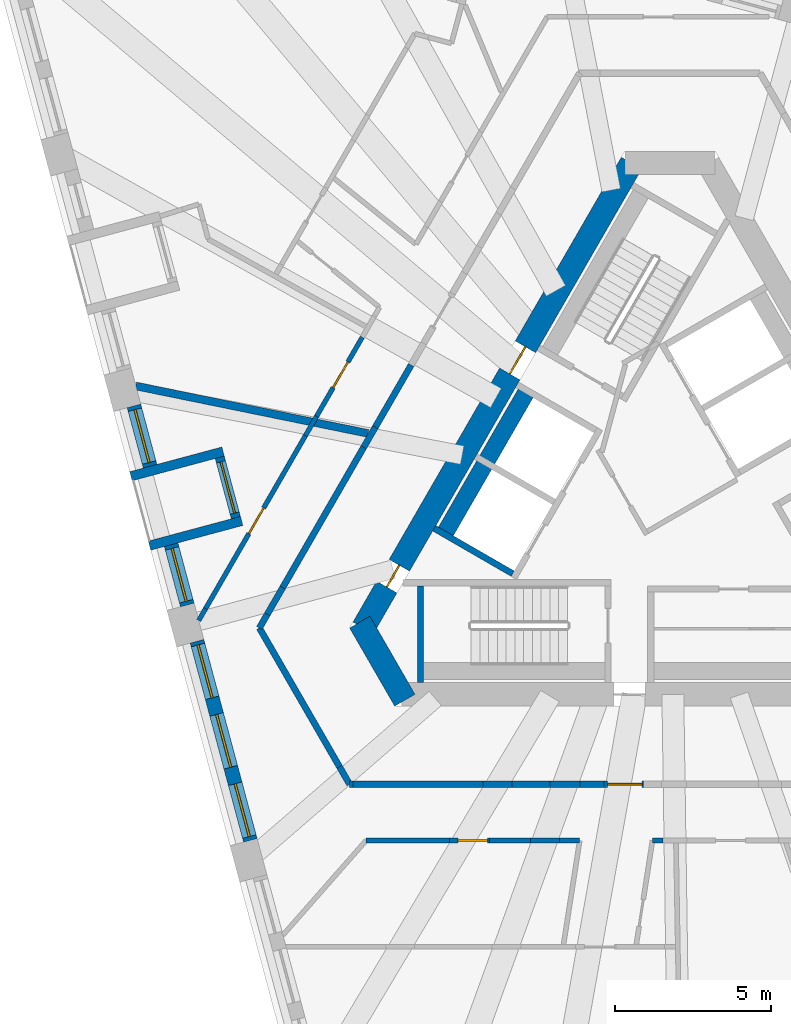
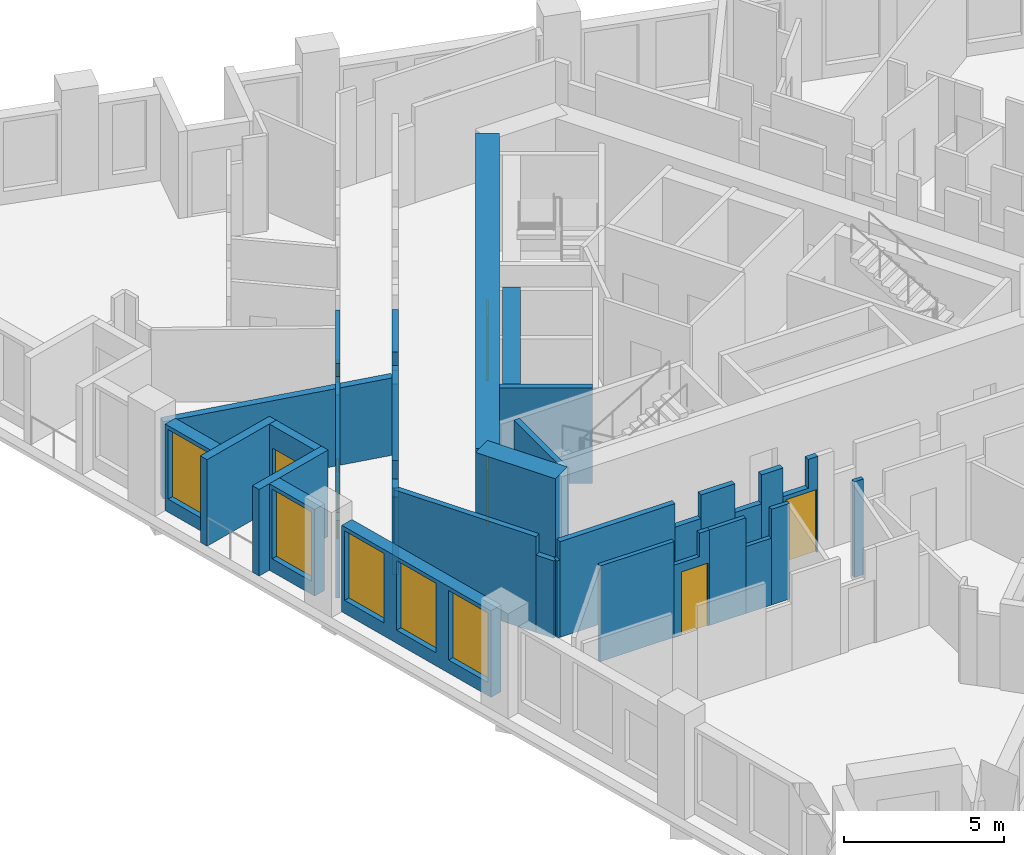
# One storey, part 3 of 13: 36 walls, 7 doors, 5 windows, 12 openings.
"""IFC4 building model written with IfcOpenShell, lengths in metres."""

from ifc_helpers import new_model, si_unit, direction, frame, frame_2d, origin, place, context, subcontext, project, spatial, polyline, rectangle, outline, extrude, material, layer, layer_set, type_object, element, fill, save


model = new_model("IFC4")

# Units and contexts
model_context = context("Model", 3, precision=1e-05, world=origin(), true_north=direction((0.0, 1.0)))
body_context = subcontext(model_context, "Body", "Model", "MODEL_VIEW")
ifc_project = project(units=[si_unit("LENGTHUNIT", "METRE"), si_unit("AREAUNIT", "SQUARE_METRE"), si_unit("VOLUMEUNIT", "CUBIC_METRE"), si_unit("PLANEANGLEUNIT", "RADIAN"), si_unit("MASSUNIT", "GRAM", prefix="KILO")], contexts=[model_context])

# Site, building, storey
site_placement = place(None, origin())
site = spatial("IfcSite", under=ifc_project, at=site_placement, CompositionType="ELEMENT")
building_placement = place(site_placement, origin())
building = spatial("IfcBuilding", under=site, at=building_placement, Name="Tramontana Tower", CompositionType="ELEMENT")
storey_placement = place(building_placement, frame((0.0, 0.0, 224.0)))
storey = spatial("IfcBuildingStorey", under=building, at=storey_placement, Name="L52", CompositionType="ELEMENT", Elevation=224.0)

# Wall, openings, doors
ifc_material_1 = material(Name="Concrete 70 MPa", Category="concrete")
ifc_layer_1 = layer(ifc_material_1, 0.75)
ifc_layer_set_1 = layer_set([ifc_layer_1], Name="Core wall 750 70 MPa")
wall_type_1 = type_object("IfcWallType", Name="Core wall 750 70 MPa", PredefinedType="SHEAR", material=ifc_layer_set_1)
wall_1_placement = place(storey_placement, frame((-1.226806640625, 10.625, 0.0), z_axis=(0.0, 0.0, 1.0), x_axis=(-0.500002161919, -0.866024155596, 0.0)))
wall_1 = element("IfcWall", 1, at=wall_1_placement, inside=storey, type_object=wall_type_1, Name="Core wall C1 L52", PredefinedType="SHEAR", context=body_context, shape_type="SweptSolid", body=[
    extrude(rectangle(XDim=17.17626953125, YDim=0.75, at=frame_2d((8.588134765625, 0.0))), origin(), (0.0, 0.0, 1.0), 4.0),
])
opening_1_placement = place(wall_1_placement, frame((6.79296875, 0.0, 0.0)))
opening_1 = element("IfcOpeningElement", 2, at=opening_1_placement, cuts=wall_1, Name="Opening RG1", PredefinedType="OPENING", context=body_context, shape_type="SweptSolid", body=[
    extrude(rectangle(XDim=1.0, YDim=2.39990234375, at=frame_2d((0.5, 1.199951171875))), frame((0.0, 0.385009765625, 0.0), z_axis=(0.0, -1.0, 0.0), x_axis=(1.0, 0.0, 0.0)), (0.0, 0.0, 1.0), 0.77001953125),
])
opening_2_placement = place(wall_1_placement, frame((14.863525390625, 0.0, 0.0)))
opening_2 = element("IfcOpeningElement", 3, at=opening_2_placement, cuts=wall_1, Name="Opening PD1", PredefinedType="OPENING", context=body_context, shape_type="SweptSolid", body=[
    extrude(rectangle(XDim=0.800048828125, YDim=2.10009765625, at=frame_2d((0.39990234375, 1.050048828125))), frame((0.0, 0.385009765625, 0.0), z_axis=(0.0, -1.0, 0.0), x_axis=(1.0, 0.0, 0.0)), (0.0, 0.0, 1.0), 0.77001953125),
])
ifc_material_2 = material(Name="Painted steel", Category="steel")
door_type_1 = type_object("IfcDoorType", Name="CUPBOARD DOOR 800", OperationType="SINGLE_SWING_LEFT", PredefinedType="DOOR", material=ifc_material_2)
door_1_placement = place(opening_2_placement, origin())
door_1 = element("IfcDoor", 4, at=door_1_placement, inside=storey, type_object=door_type_1, Name="Door PD1", OperationType="SINGLE_SWING_LEFT", OverallHeight=2.10009765625, OverallWidth=0.800048828125, PredefinedType="DOOR", context=body_context, shape_type="SweptSolid", body=[
    extrude(rectangle(XDim=0.800048828125, YDim=2.10009765625, at=frame_2d((0.39990234375, 1.050048828125))), frame((0.0, 0.02490234375, 0.0), z_axis=(0.0, -1.0, 0.0), x_axis=(1.0, 0.0, 0.0)), (0.0, 0.0, 1.0), 0.050048828125),
])
fill(opening_2, door_1)
ifc_material_3 = material(Name="Painted steel", Category="steel")
door_type_2 = type_object("IfcDoorType", Name="RING DOOR 1000", OperationType="SINGLE_SWING_LEFT", PredefinedType="DOOR", material=ifc_material_3)
door_2_placement = place(opening_1_placement, origin())
door_2 = element("IfcDoor", 5, at=door_2_placement, inside=storey, type_object=door_type_2, Name="Door RG1", OperationType="SINGLE_SWING_RIGHT", OverallHeight=2.39990234375, OverallWidth=1.0, PredefinedType="DOOR", context=body_context, shape_type="SweptSolid", body=[
    extrude(rectangle(XDim=1.0, YDim=2.39990234375, at=frame_2d((0.5, 1.199951171875))), frame((0.0, 0.02490234375, 0.0), z_axis=(0.0, -1.0, 0.0), x_axis=(1.0, 0.0, 0.0)), (0.0, 0.0, 1.0), 0.050048828125),
])
fill(opening_1, door_2)

# Wall
wall_2_placement = place(storey_placement, frame((-9.923095703125, -4.0625, 0.0), z_axis=(0.0, 0.0, 1.0), x_axis=(0.499995765644, -0.866027848477, 0.0)))
element("IfcWall", 6, at=wall_2_placement, inside=storey, type_object=wall_type_1, Name="Core wall C2 L52", PredefinedType="SHEAR", context=body_context, shape_type="SweptSolid", body=[
    extrude(rectangle(XDim=2.88671875, YDim=0.75, at=frame_2d((1.443359375, 0.0))), origin(), (0.0, 0.0, 1.0), 4.0),
])

# Wall, opening, door
ifc_material_4 = material(Name="Blockwork", Category="masonry")
ifc_layer_2 = layer(ifc_material_4, 0.199951171875)
ifc_layer_set_2 = layer_set([ifc_layer_2], Name="ENTRY WALL 200")
wall_type_2 = type_object("IfcWallType", Name="ENTRY WALL 200", PredefinedType="SOLIDWALL", material=ifc_layer_set_2)
wall_3_placement = place(storey_placement, frame((-2.102783203125, -9.25, 0.0), z_axis=(0.0, 0.0, 1.0), x_axis=(1.0, 0.0, 0.0)))
wall_3 = element("IfcWall", 7, at=wall_3_placement, inside=storey, type_object=wall_type_2, Name="Wall v52-ew2-7", PredefinedType="SOLIDWALL", context=body_context, shape_type="SweptSolid", body=[
    extrude(outline(polyline([(0.0, 0.0), (1.261474609375, 0.0), (1.261474609375, 3.64990234375), (0.9140625, 3.64990234375), (0.9140625, 2.550048828125), (0.0, 2.550048828125), (0.0, 0.0)])), frame((0.0, 0.10009765625, 0.0), z_axis=(0.0, -1.0, 0.0), x_axis=(1.0, 0.0, 0.0)), (0.0, 0.0, 1.0), 0.199951171875),
])
opening_3_placement = place(wall_3_placement, frame((0.111572265625, 0.0, 0.0)))
opening_3 = element("IfcOpeningElement", 8, at=opening_3_placement, cuts=wall_3, Name="Opening B5C-18", PredefinedType="OPENING", context=body_context, shape_type="SweptSolid", body=[
    extrude(rectangle(XDim=1.10009765625, YDim=2.39990234375, at=frame_2d((0.550048828125, 1.199951171875))), frame((0.0, 0.10986328125, 0.0), z_axis=(0.0, -1.0, 0.0), x_axis=(1.0, 0.0, 0.0)), (0.0, 0.0, 1.0), 0.219970703125),
])
ifc_material_5 = material(Name="Painted timber", Category="wood")
door_type_3 = type_object("IfcDoorType", Name="DOOR ENTRY 1100", OperationType="SINGLE_SWING_LEFT", PredefinedType="DOOR", material=ifc_material_5)
door_3_placement = place(opening_3_placement, origin())
door_3 = element("IfcDoor", 9, at=door_3_placement, inside=storey, type_object=door_type_3, Name="Door B5C-18", OperationType="SINGLE_SWING_RIGHT", OverallHeight=2.39990234375, OverallWidth=1.10009765625, PredefinedType="DOOR", context=body_context, shape_type="SweptSolid", body=[
    extrude(rectangle(XDim=1.10009765625, YDim=2.39990234375, at=frame_2d((0.550048828125, 1.199951171875))), frame((0.0, 0.02490234375, 0.0), z_axis=(0.0, -1.0, 0.0), x_axis=(1.0, 0.0, 0.0)), (0.0, 0.0, 1.0), 0.050048828125),
])
fill(opening_3, door_3)

# Walls
wall_4_placement = place(storey_placement, frame((-2.102783203125, -9.25, 0.0), z_axis=(0.0, 0.0, 1.0), x_axis=(-1.0, 0.0, 0.0)))
element("IfcWall", 10, at=wall_4_placement, inside=storey, type_object=wall_type_2, Name="Wall v52-ew2-8", PredefinedType="SOLIDWALL", context=body_context, shape_type="SweptSolid", body=[
    extrude(rectangle(XDim=0.76904296875, YDim=0.199951171875, at=frame_2d((0.384521484375, 0.0))), origin(), (0.0, 0.0, 1.0), 3.64990234375),
])
wall_5_placement = place(storey_placement, frame((-2.871826171875, -9.25, 0.0), z_axis=(0.0, 0.0, 1.0), x_axis=(-1.0, 0.0, 0.0)))
element("IfcWall", 11, at=wall_5_placement, inside=storey, type_object=wall_type_2, Name="Wall v52-ew2-9", PredefinedType="SOLIDWALL", context=body_context, shape_type="SweptSolid", body=[
    extrude(rectangle(XDim=0.957275390625, YDim=0.199951171875, at=frame_2d((0.478515625, 0.0))), origin(), (0.0, 0.0, 1.0), 2.550048828125),
])
wall_6_placement = place(storey_placement, frame((-3.8291015625, -9.25, 0.0), z_axis=(0.0, 0.0, 1.0), x_axis=(-1.0, 0.0, 0.0)))
element("IfcWall", 12, at=wall_6_placement, inside=storey, type_object=wall_type_2, Name="Wall v52-ew2-10", PredefinedType="SOLIDWALL", context=body_context, shape_type="SweptSolid", body=[
    extrude(rectangle(XDim=1.22705078125, YDim=0.199951171875, at=frame_2d((0.613525390625, 0.0))), origin(), (0.0, 0.0, 1.0), 3.64990234375),
])
wall_7_placement = place(storey_placement, frame((-5.05615234375, -9.25, 0.0), z_axis=(0.0, 0.0, 1.0), x_axis=(-1.0, 0.0, 0.0)))
element("IfcWall", 13, at=wall_7_placement, inside=storey, type_object=wall_type_2, Name="Wall v52-ew2-11", PredefinedType="SOLIDWALL", context=body_context, shape_type="SweptSolid", body=[
    extrude(rectangle(XDim=0.931640625, YDim=0.199951171875, at=frame_2d((0.4658203125, 0.0))), origin(), (0.0, 0.0, 1.0), 2.75),
])
wall_8_placement = place(storey_placement, frame((-5.98779296875, -9.25, 0.0), z_axis=(0.0, 0.0, 1.0), x_axis=(-1.0, 0.0, 0.0)))
element("IfcWall", 14, at=wall_8_placement, inside=storey, type_object=wall_type_2, Name="Wall v52-ew2-12", PredefinedType="SOLIDWALL", context=body_context, shape_type="SweptSolid", body=[
    extrude(rectangle(XDim=4.1552734375, YDim=0.199951171875, at=frame_2d((2.07763671875, 0.0))), origin(), (0.0, 0.0, 1.0), 3.64990234375),
])
wall_9_placement = place(storey_placement, frame((-10.14306640625, -9.25, 0.0), z_axis=(0.0, 0.0, 1.0), x_axis=(-1.0, 0.0, 0.0)))
element("IfcWall", 15, at=wall_9_placement, inside=storey, type_object=wall_type_2, Name="Wall v52-ew2-13", PredefinedType="SOLIDWALL", context=body_context, shape_type="SweptSolid", body=[
    extrude(rectangle(XDim=0.10498046875, YDim=0.199951171875, at=frame_2d((0.052490234375, 0.0))), origin(), (0.0, 0.0, 1.0), 2.949951171875),
])
wall_10_placement = place(storey_placement, frame((-10.248046875, -9.25, 0.0), z_axis=(0.0, 0.0, 1.0), x_axis=(-0.499733411443, 0.86617926406, 0.0)))
element("IfcWall", 16, at=wall_10_placement, inside=storey, type_object=wall_type_2, Name="Wall v52-ew3-0", PredefinedType="SOLIDWALL", context=body_context, shape_type="SweptSolid", body=[
    extrude(rectangle(XDim=0.642822265625, YDim=0.199951171875, at=frame_2d((0.3212890625, 0.0))), origin(), (0.0, 0.0, 1.0), 2.949951171875),
])
wall_11_placement = place(storey_placement, frame((-10.5693359375, -8.693115234375, 0.0), z_axis=(0.0, 0.0, 1.0), x_axis=(-0.500028638513, 0.8660088687, 0.0)))
element("IfcWall", 17, at=wall_11_placement, inside=storey, type_object=wall_type_2, Name="Wall v52-ew3-1", PredefinedType="SOLIDWALL", context=body_context, shape_type="SweptSolid", body=[
    extrude(rectangle(XDim=5.130615234375, YDim=0.199951171875, at=frame_2d((2.5654296875, 0.0))), origin(), (0.0, 0.0, 1.0), 3.64990234375),
])
wall_12_placement = place(storey_placement, frame((-13.134765625, -4.25, 0.0), z_axis=(0.0, 0.0, 1.0), x_axis=(0.500002592159, 0.866023907196, 0.0)))
element("IfcWall", 18, at=wall_12_placement, inside=storey, type_object=wall_type_2, Name="Wall v52-ew4-0", PredefinedType="SOLIDWALL", context=body_context, shape_type="SweptSolid", body=[
    extrude(rectangle(XDim=0.5029296875, YDim=0.199951171875, at=frame_2d((0.25146484375, 0.0))), origin(), (0.0, 0.0, 1.0), 3.64990234375),
])
wall_13_placement = place(storey_placement, frame((-12.88330078125, -3.814453125, 0.0), z_axis=(0.0, 0.0, 1.0), x_axis=(0.500063959222, 0.865988473761, 0.0)))
element("IfcWall", 19, at=wall_13_placement, inside=storey, type_object=wall_type_2, Name="Wall v52-ew4-1", PredefinedType="SOLIDWALL", context=body_context, shape_type="SweptSolid", body=[
    extrude(rectangle(XDim=0.989990234375, YDim=0.199951171875, at=frame_2d((0.4951171875, 0.0))), origin(), (0.0, 0.0, 1.0), 2.949951171875),
])
wall_14_placement = place(storey_placement, frame((-12.38818359375, -2.95703125, 0.0), z_axis=(0.0, 0.0, 1.0), x_axis=(0.499990271856, 0.866031020258, 0.0)))
element("IfcWall", 20, at=wall_14_placement, inside=storey, type_object=wall_type_2, Name="Wall v52-ew4-2", PredefinedType="SOLIDWALL", context=body_context, shape_type="SweptSolid", body=[
    extrude(rectangle(XDim=5.181640625, YDim=0.199951171875, at=frame_2d((2.5908203125, 0.0))), origin(), (0.0, 0.0, 1.0), 3.64990234375),
])
wall_15_placement = place(storey_placement, frame((-9.79736328125, 1.530517578125, 0.0), z_axis=(0.0, 0.0, 1.0), x_axis=(0.499931655587, 0.866064858854, 0.0)))
element("IfcWall", 21, at=wall_15_placement, inside=storey, type_object=wall_type_2, Name="Wall v52-ew4-3", PredefinedType="SOLIDWALL", context=body_context, shape_type="SweptSolid", body=[
    extrude(rectangle(XDim=0.74072265625, YDim=0.199951171875, at=frame_2d((0.370361328125, 0.0))), origin(), (0.0, 0.0, 1.0), 2.949951171875),
])
wall_16_placement = place(storey_placement, frame((-9.427001953125, 2.172119140625, 0.0), z_axis=(0.0, 0.0, 1.0), x_axis=(0.500013761451, 0.866017458461, 0.0)))
element("IfcWall", 22, at=wall_16_placement, inside=storey, type_object=wall_type_2, Name="Wall v52-ew4-4", PredefinedType="SOLIDWALL", context=body_context, shape_type="SweptSolid", body=[
    extrude(rectangle(XDim=2.29736328125, YDim=0.199951171875, at=frame_2d((1.148681640625, 0.0))), origin(), (0.0, 0.0, 1.0), 3.64990234375),
])

# Wall, opening, window
ifc_material_6 = material(Name="Precast concrete 60 MPa", Category="concrete")
ifc_layer_3 = layer(ifc_material_6, 0.449951171875)
ifc_layer_set_3 = layer_set([ifc_layer_3], Name="Precast concrete 60 MPa, 450 mm")
wall_type_3 = type_object("IfcWallType", Name="EW1 Stone-faced precast wall 450", PredefinedType="SOLIDWALL", material=ifc_layer_set_3)
wall_17_placement = place(storey_placement, frame((-17.147705078125, 2.853271484375, 0.0), z_axis=(0.0, 0.0, 1.0), x_axis=(0.258803270362, -0.96593005298, 0.0)))
wall_17 = element("IfcWall", 23, at=wall_17_placement, inside=storey, type_object=wall_type_3, Name="External wall L52 face 0 bay 3", PredefinedType="SOLIDWALL", context=body_context, shape_type="SweptSolid", body=[
    extrude(rectangle(XDim=1.998046875, YDim=0.449951171875, at=frame_2d((0.9990234375, 0.0))), origin(), (0.0, 0.0, 1.0), 3.300048828125),
])
opening_4_placement = place(wall_17_placement, frame((0.1240234375, 0.0, 0.5)))
opening_4 = element("IfcOpeningElement", 24, at=opening_4_placement, cuts=wall_17, Name="Opening M2", PredefinedType="OPENING", context=body_context, shape_type="SweptSolid", body=[
    extrude(rectangle(XDim=1.75, YDim=2.64990234375, at=frame_2d((0.875, 1.324951171875))), frame((0.0, 0.23486328125, 0.0), z_axis=(0.0, -1.0, 0.0), x_axis=(1.0, 0.0, 0.0)), (0.0, 0.0, 1.0), 0.469970703125),
])
ifc_material_7 = material(Name="Aluminum frame, double glazing unit", Category="aluminium")
window_type = type_object("IfcWindowType", Name="M2 Window 1.75 x 2.65", PartitioningType="SINGLE_PANEL", PredefinedType="WINDOW", material=ifc_material_7)
window_1_placement = place(opening_4_placement, origin())
window_1 = element("IfcWindow", 25, at=window_1_placement, inside=storey, type_object=window_type, Name="Window M2 L52 face 0 module 7", OverallHeight=2.64990234375, OverallWidth=1.75, PartitioningType="SINGLE_PANEL", PredefinedType="WINDOW", context=body_context, shape_type="SweptSolid", body=[
    extrude(rectangle(XDim=1.75, YDim=2.64990234375, at=frame_2d((0.875, 1.324951171875))), frame((0.0, 0.030029296875, 0.0), z_axis=(0.0, -1.0, 0.0), x_axis=(1.0, 0.0, 0.0)), (0.0, 0.0, 1.0), 0.06005859375),
])
fill(opening_4, window_1)

wall_18_placement = place(storey_placement, frame((-15.958251953125, -1.586181640625, 0.0), z_axis=(0.0, 0.0, 1.0), x_axis=(0.258772727493, -0.965938235865, 0.0)))
wall_18 = element("IfcWall", 26, at=wall_18_placement, inside=storey, type_object=wall_type_3, Name="External wall L52 face 0 bay 3", PredefinedType="SOLIDWALL", context=body_context, shape_type="SweptSolid", body=[
    extrude(rectangle(XDim=1.998291015625, YDim=0.449951171875, at=frame_2d((0.9990234375, 0.0))), origin(), (0.0, 0.0, 1.0), 3.300048828125),
])
opening_5_placement = place(wall_18_placement, frame((0.1240234375, 0.0, 0.5)))
opening_5 = element("IfcOpeningElement", 27, at=opening_5_placement, cuts=wall_18, Name="Opening M2", PredefinedType="OPENING", context=body_context, shape_type="SweptSolid", body=[
    extrude(rectangle(XDim=1.75, YDim=2.64990234375, at=frame_2d((0.875, 1.324951171875))), frame((0.0, 0.23486328125, 0.0), z_axis=(0.0, -1.0, 0.0), x_axis=(1.0, 0.0, 0.0)), (0.0, 0.0, 1.0), 0.469970703125),
])
window_2_placement = place(opening_5_placement, origin())
window_2 = element("IfcWindow", 28, at=window_2_placement, inside=storey, type_object=window_type, Name="Window M2 L52 face 0 module 9", OverallHeight=2.64990234375, OverallWidth=1.75, PartitioningType="SINGLE_PANEL", PredefinedType="WINDOW", context=body_context, shape_type="SweptSolid", body=[
    extrude(rectangle(XDim=1.75, YDim=2.64990234375, at=frame_2d((0.875, 1.324951171875))), frame((0.0, 0.030029296875, 0.0), z_axis=(0.0, -1.0, 0.0), x_axis=(1.0, 0.0, 0.0)), (0.0, 0.0, 1.0), 0.06005859375),
])
fill(opening_5, window_2)

# Wall, openings, windows
wall_19_placement = place(storey_placement, frame((-15.13037109375, -4.67529296875, 0.0), z_axis=(0.0, 0.0, 1.0), x_axis=(0.258791602952, -0.965933178973, 0.0)))
wall_19 = element("IfcWall", 29, at=wall_19_placement, inside=storey, type_object=wall_type_3, Name="External wall L52 face 0 bay 4", PredefinedType="SOLIDWALL", context=body_context, shape_type="SweptSolid", body=[
    extrude(rectangle(XDim=6.59423828125, YDim=0.449951171875, at=frame_2d((3.297119140625, 0.0))), origin(), (0.0, 0.0, 1.0), 3.300048828125),
])
opening_6_placement = place(wall_19_placement, frame((0.1240234375, 0.0, 0.5)))
opening_6 = element("IfcOpeningElement", 30, at=opening_6_placement, cuts=wall_19, Name="Opening M2", PredefinedType="OPENING", context=body_context, shape_type="SweptSolid", body=[
    extrude(rectangle(XDim=1.75, YDim=2.64990234375, at=frame_2d((0.875, 1.324951171875))), frame((0.0, 0.23486328125, 0.0), z_axis=(0.0, -1.0, 0.0), x_axis=(1.0, 0.0, 0.0)), (0.0, 0.0, 1.0), 0.469970703125),
])
opening_7_placement = place(wall_19_placement, frame((2.422119140625, 0.0, 0.5)))
opening_7 = element("IfcOpeningElement", 31, at=opening_7_placement, cuts=wall_19, Name="Opening M2", PredefinedType="OPENING", context=body_context, shape_type="SweptSolid", body=[
    extrude(rectangle(XDim=1.75, YDim=2.64990234375, at=frame_2d((0.875, 1.324951171875))), frame((0.0, 0.23486328125, 0.0), z_axis=(0.0, -1.0, 0.0), x_axis=(1.0, 0.0, 0.0)), (0.0, 0.0, 1.0), 0.469970703125),
])
opening_8_placement = place(wall_19_placement, frame((4.72021484375, 0.0, 0.5)))
opening_8 = element("IfcOpeningElement", 32, at=opening_8_placement, cuts=wall_19, Name="Opening M2", PredefinedType="OPENING", context=body_context, shape_type="SweptSolid", body=[
    extrude(rectangle(XDim=1.75, YDim=2.64990234375, at=frame_2d((0.875, 1.324951171875))), frame((0.0, 0.23486328125, 0.0), z_axis=(0.0, -1.0, 0.0), x_axis=(1.0, 0.0, 0.0)), (0.0, 0.0, 1.0), 0.469970703125),
])
window_3_placement = place(opening_6_placement, origin())
window_3 = element("IfcWindow", 33, at=window_3_placement, inside=storey, type_object=window_type, Name="Window M2 L52 face 0 module 10", OverallHeight=2.64990234375, OverallWidth=1.75, PartitioningType="SINGLE_PANEL", PredefinedType="WINDOW", context=body_context, shape_type="SweptSolid", body=[
    extrude(rectangle(XDim=1.75, YDim=2.64990234375, at=frame_2d((0.875, 1.324951171875))), frame((0.0, 0.030029296875, 0.0), z_axis=(0.0, -1.0, 0.0), x_axis=(1.0, 0.0, 0.0)), (0.0, 0.0, 1.0), 0.06005859375),
])
fill(opening_6, window_3)
window_4_placement = place(opening_7_placement, origin())
window_4 = element("IfcWindow", 34, at=window_4_placement, inside=storey, type_object=window_type, Name="Window M2 L52 face 0 module 11", OverallHeight=2.64990234375, OverallWidth=1.75, PartitioningType="SINGLE_PANEL", PredefinedType="WINDOW", context=body_context, shape_type="SweptSolid", body=[
    extrude(rectangle(XDim=1.75, YDim=2.64990234375, at=frame_2d((0.875, 1.324951171875))), frame((0.0, 0.030029296875, 0.0), z_axis=(0.0, -1.0, 0.0), x_axis=(1.0, 0.0, 0.0)), (0.0, 0.0, 1.0), 0.06005859375),
])
fill(opening_7, window_4)
window_5_placement = place(opening_8_placement, origin())
window_5 = element("IfcWindow", 35, at=window_5_placement, inside=storey, type_object=window_type, Name="Window M2 L52 face 0 module 12", OverallHeight=2.64990234375, OverallWidth=1.75, PartitioningType="SINGLE_PANEL", PredefinedType="WINDOW", context=body_context, shape_type="SweptSolid", body=[
    extrude(rectangle(XDim=1.75, YDim=2.64990234375, at=frame_2d((0.875, 1.324951171875))), frame((0.0, 0.030029296875, 0.0), z_axis=(0.0, -1.0, 0.0), x_axis=(1.0, 0.0, 0.0)), (0.0, 0.0, 1.0), 0.06005859375),
])
fill(opening_8, window_5)

# Wall, opening, door
ifc_material_8 = material(Name="Precast concrete 60 MPa", Category="concrete")
ifc_layer_4 = layer(ifc_material_8, 0.300048828125)
ifc_layer_set_4 = layer_set([ifc_layer_4], Name="LW1 Stone-faced loggia wall 300")
wall_type_4 = type_object("IfcWallType", Name="LW1 Stone-faced loggia wall 300", PredefinedType="SOLIDWALL", material=ifc_layer_set_4)
wall_20_placement = place(storey_placement, frame((-14.40380859375, 1.20947265625, 0.0), z_axis=(0.0, 0.0, 1.0), x_axis=(0.258772727493, -0.965938235865, 0.0)))
wall_20 = element("IfcWall", 36, at=wall_20_placement, inside=storey, type_object=wall_type_4, Name="Loggia wall L52 G5S0.7", PredefinedType="SOLIDWALL", context=body_context, shape_type="SweptSolid", body=[
    extrude(rectangle(XDim=1.998291015625, YDim=0.300048828125, at=frame_2d((0.9990234375, 0.0))), origin(), (0.0, 0.0, 1.0), 3.300048828125),
])
opening_9_placement = place(wall_20_placement, frame((0.14892578125, 0.0, 0.0)))
opening_9 = element("IfcOpeningElement", 37, at=opening_9_placement, cuts=wall_20, Name="Opening BD-5S0-07", PredefinedType="OPENING", context=body_context, shape_type="SweptSolid", body=[
    extrude(rectangle(XDim=1.699951171875, YDim=2.449951171875, at=frame_2d((0.85009765625, 1.22509765625))), frame((0.0, 0.159912109375, 0.0), z_axis=(0.0, -1.0, 0.0), x_axis=(1.0, 0.0, 0.0)), (0.0, 0.0, 1.0), 0.320068359375),
])
ifc_material_9 = material(Name="Aluminum frame, double glazing unit", Category="aluminium")
door_type_4 = type_object("IfcDoorType", Name="BD2 Sliding door 1.7 x 2.45", OperationType="SLIDING_TO_LEFT", PredefinedType="DOOR", material=ifc_material_9)
door_4_placement = place(opening_9_placement, origin())
door_4 = element("IfcDoor", 38, at=door_4_placement, inside=storey, type_object=door_type_4, Name="Loggia door L52 G5S0.7", OperationType="SLIDING_TO_LEFT", OverallHeight=2.449951171875, OverallWidth=1.699951171875, PredefinedType="DOOR", context=body_context, shape_type="SweptSolid", body=[
    extrude(rectangle(XDim=1.699951171875, YDim=2.449951171875, at=frame_2d((0.85009765625, 1.22509765625))), frame((0.0, 0.02490234375, 0.0), z_axis=(0.0, -1.0, 0.0), x_axis=(1.0, 0.0, 0.0)), (0.0, 0.0, 1.0), 0.050048828125),
])
fill(opening_9, door_4)

# Walls
for number, where, z_axis, x_axis, name in (
    (39, (-17.243896484375, 0.603759765625, 0.0), (0.0, 0.0, 1.0), (0.965932688119, 0.258793435045, 0.0), "Loggia return L52 G5S0.7a"),
    (40, (-16.64892578125, -1.615966796875, 0.0), (0.0, 0.0, 1.0), (0.965932688119, 0.258793435045, 0.0), "Loggia return L52 G5S0.7b"),
):
    element("IfcWall", number, at=place(storey_placement, frame(where, z_axis=z_axis, x_axis=x_axis)), inside=storey, type_object=wall_type_4, Name=name, PredefinedType="SOLIDWALL", context=body_context, shape_type="SweptSolid", body=[
        extrude(rectangle(XDim=3.050048828125, YDim=0.300048828125, at=frame_2d((1.52490234375, 0.0))), origin(), (0.0, 0.0, 1.0), 3.300048828125),
    ])
ifc_material_10 = material(Name="Gypsum board partition")
ifc_layer_5 = layer(ifc_material_10, 0.14990234375)
ifc_layer_set_5 = layer_set([ifc_layer_5], Name="PARTITION 150")
wall_type_5 = type_object("IfcWallType", Name="PARTITION 150", PredefinedType="PARTITIONING", material=ifc_layer_set_5)
wall_21_placement = place(storey_placement, frame((-15.075439453125, -4.011474609375, 0.0), z_axis=(0.0, 0.0, 1.0), x_axis=(0.500027377864, 0.86600959659, 0.0)))
element("IfcWall", 41, at=wall_21_placement, inside=storey, type_object=wall_type_5, Name="Wall v52-pw01-0", PredefinedType="PARTITIONING", context=body_context, shape_type="SweptSolid", body=[
    extrude(rectangle(XDim=0.43896484375, YDim=0.14990234375, at=frame_2d((0.219482421875, 0.0))), origin(), (0.0, 0.0, 1.0), 2.949951171875),
])

# Wall, opening, door
wall_22_placement = place(storey_placement, frame((-14.85595703125, -3.63134765625, 0.0), z_axis=(0.0, 0.0, 1.0), x_axis=(0.49999366119, 0.866029063467, 0.0)))
wall_22 = element("IfcWall", 42, at=wall_22_placement, inside=storey, type_object=wall_type_5, Name="Wall v52-pw01-1", PredefinedType="PARTITIONING", context=body_context, shape_type="SweptSolid", body=[
    extrude(rectangle(XDim=6.3896484375, YDim=0.14990234375, at=frame_2d((3.19482421875, 0.0))), origin(), (0.0, 0.0, 1.0), 3.64990234375),
])
opening_10_placement = place(wall_22_placement, frame((2.768798828125, 0.0, 0.0)))
opening_10 = element("IfcOpeningElement", 43, at=opening_10_placement, cuts=wall_22, Name="Opening B5C-09", PredefinedType="OPENING", context=body_context, shape_type="SweptSolid", body=[
    extrude(rectangle(XDim=0.949951171875, YDim=2.39990234375, at=frame_2d((0.47509765625, 1.199951171875))), frame((0.0, 0.0849609375, 0.0), z_axis=(0.0, -1.0, 0.0), x_axis=(1.0, 0.0, 0.0)), (0.0, 0.0, 1.0), 0.169921875),
])
ifc_material_11 = material(Name="Painted timber", Category="wood")
door_type_5 = type_object("IfcDoorType", Name="DOOR ROOM 950", OperationType="SINGLE_SWING_LEFT", PredefinedType="DOOR", material=ifc_material_11)
door_5_placement = place(opening_10_placement, origin())
door_5 = element("IfcDoor", 44, at=door_5_placement, inside=storey, type_object=door_type_5, Name="Door B5C-09", OperationType="SINGLE_SWING_LEFT", OverallHeight=2.39990234375, OverallWidth=0.949951171875, PredefinedType="DOOR", context=body_context, shape_type="SweptSolid", body=[
    extrude(rectangle(XDim=0.949951171875, YDim=2.39990234375, at=frame_2d((0.47509765625, 1.199951171875))), frame((0.0, 0.02490234375, 0.0), z_axis=(0.0, -1.0, 0.0), x_axis=(1.0, 0.0, 0.0)), (0.0, 0.0, 1.0), 0.050048828125),
])
fill(opening_10, door_5)

# Wall
wall_23_placement = place(storey_placement, frame((-11.6611328125, 1.90234375, 0.0), z_axis=(0.0, 0.0, 1.0), x_axis=(0.499998569178, 0.866026229868, 0.0)))
element("IfcWall", 45, at=wall_23_placement, inside=storey, type_object=wall_type_5, Name="Wall v52-pw01-2", PredefinedType="PARTITIONING", context=body_context, shape_type="SweptSolid", body=[
    extrude(rectangle(XDim=0.71435546875, YDim=0.14990234375, at=frame_2d((0.357177734375, 0.0))), origin(), (0.0, 0.0, 1.0), 2.949951171875),
])

# Wall, opening, door
wall_24_placement = place(storey_placement, frame((-11.303955078125, 2.52099609375, 0.0), z_axis=(0.0, 0.0, 1.0), x_axis=(0.49998782916, 0.866032430508, 0.0)))
wall_24 = element("IfcWall", 46, at=wall_24_placement, inside=storey, type_object=wall_type_5, Name="Wall v52-pw01-3", PredefinedType="PARTITIONING", context=body_context, shape_type="SweptSolid", body=[
    extrude(rectangle(XDim=2.919921875, YDim=0.14990234375, at=frame_2d((1.4599609375, 0.0))), origin(), (0.0, 0.0, 1.0), 3.64990234375),
])
opening_11_placement = place(wall_24_placement, frame((1.0556640625, 0.0, 0.0)))
opening_11 = element("IfcOpeningElement", 47, at=opening_11_placement, cuts=wall_24, Name="Opening B5C-05", PredefinedType="OPENING", context=body_context, shape_type="SweptSolid", body=[
    extrude(rectangle(XDim=0.949951171875, YDim=2.39990234375, at=frame_2d((0.47509765625, 1.199951171875))), frame((0.0, 0.0849609375, 0.0), z_axis=(0.0, -1.0, 0.0), x_axis=(1.0, 0.0, 0.0)), (0.0, 0.0, 1.0), 0.169921875),
])
door_6_placement = place(opening_11_placement, origin())
door_6 = element("IfcDoor", 48, at=door_6_placement, inside=storey, type_object=door_type_5, Name="Door B5C-05", OperationType="SINGLE_SWING_LEFT", OverallHeight=2.39990234375, OverallWidth=0.949951171875, PredefinedType="DOOR", context=body_context, shape_type="SweptSolid", body=[
    extrude(rectangle(XDim=0.949951171875, YDim=2.39990234375, at=frame_2d((0.47509765625, 1.199951171875))), frame((0.0, 0.02490234375, 0.0), z_axis=(0.0, -1.0, 0.0), x_axis=(1.0, 0.0, 0.0)), (0.0, 0.0, 1.0), 0.050048828125),
])
fill(opening_11, door_6)

# Walls
wall_25_placement = place(storey_placement, frame((-2.88916015625, -11.050048828125, 0.0), z_axis=(0.0, 0.0, 1.0), x_axis=(-1.0, 0.0, 0.0)))
element("IfcWall", 49, at=wall_25_placement, inside=storey, type_object=wall_type_5, Name="Wall v52-pw16-0", PredefinedType="PARTITIONING", context=body_context, shape_type="SweptSolid", body=[
    extrude(rectangle(XDim=0.64794921875, YDim=0.14990234375, at=frame_2d((0.323974609375, 0.0))), origin(), (0.0, 0.0, 1.0), 3.64990234375),
])
wall_26_placement = place(storey_placement, frame((-3.537109375, -11.050048828125, 0.0), z_axis=(0.0, 0.0, 1.0), x_axis=(-1.0, 0.0, 0.0)))
element("IfcWall", 50, at=wall_26_placement, inside=storey, type_object=wall_type_5, Name="Wall v52-pw16-1", PredefinedType="PARTITIONING", context=body_context, shape_type="SweptSolid", body=[
    extrude(rectangle(XDim=0.9306640625, YDim=0.14990234375, at=frame_2d((0.46533203125, 0.0))), origin(), (0.0, 0.0, 1.0), 2.550048828125),
])
wall_27_placement = place(storey_placement, frame((-4.4677734375, -11.050048828125, 0.0), z_axis=(0.0, 0.0, 1.0), x_axis=(-1.0, 0.0, 0.0)))
element("IfcWall", 51, at=wall_27_placement, inside=storey, type_object=wall_type_5, Name="Wall v52-pw16-2", PredefinedType="PARTITIONING", context=body_context, shape_type="SweptSolid", body=[
    extrude(rectangle(XDim=1.3115234375, YDim=0.14990234375, at=frame_2d((0.65576171875, 0.0))), origin(), (0.0, 0.0, 1.0), 3.64990234375),
])

# Wall, opening, door
wall_28_placement = place(storey_placement, frame((-5.779296875, -11.050048828125, 0.0), z_axis=(0.0, 0.0, 1.0), x_axis=(-1.0, 0.0, 0.0)))
wall_28 = element("IfcWall", 52, at=wall_28_placement, inside=storey, type_object=wall_type_5, Name="Wall v52-pw16-3", PredefinedType="PARTITIONING", context=body_context, shape_type="SweptSolid", body=[
    extrude(outline(polyline([(0.0, 0.0), (1.2685546875, 0.0), (1.2685546875, 2.75), (0.365966796875, 2.75), (0.365966796875, 3.64990234375), (0.0, 3.64990234375), (0.0, 0.0)])), frame((0.0, 0.074951171875, 0.0), z_axis=(0.0, -1.0, 0.0), x_axis=(1.0, 0.0, 0.0)), (0.0, 0.0, 1.0), 0.14990234375),
])
opening_12_placement = place(wall_28_placement, frame((0.050048828125, 0.0, 0.0)))
opening_12 = element("IfcOpeningElement", 53, at=opening_12_placement, cuts=wall_28, Name="Opening B5C-06", PredefinedType="OPENING", context=body_context, shape_type="SweptSolid", body=[
    extrude(rectangle(XDim=0.949951171875, YDim=2.39990234375, at=frame_2d((0.47509765625, 1.199951171875))), frame((0.0, 0.0849609375, 0.0), z_axis=(0.0, -1.0, 0.0), x_axis=(1.0, 0.0, 0.0)), (0.0, 0.0, 1.0), 0.169921875),
])
door_7_placement = place(opening_12_placement, origin())
door_7 = element("IfcDoor", 54, at=door_7_placement, inside=storey, type_object=door_type_5, Name="Door B5C-06", OperationType="SINGLE_SWING_RIGHT", OverallHeight=2.39990234375, OverallWidth=0.949951171875, PredefinedType="DOOR", context=body_context, shape_type="SweptSolid", body=[
    extrude(rectangle(XDim=0.949951171875, YDim=2.39990234375, at=frame_2d((0.47509765625, 1.199951171875))), frame((0.0, 0.02490234375, 0.0), z_axis=(0.0, -1.0, 0.0), x_axis=(1.0, 0.0, 0.0)), (0.0, 0.0, 1.0), 0.050048828125),
])
fill(opening_12, door_7)

# Walls
wall_29_placement = place(storey_placement, frame((-7.0478515625, -11.050048828125, 0.0), z_axis=(0.0, 0.0, 1.0), x_axis=(-1.0, 0.0, 0.0)))
element("IfcWall", 55, at=wall_29_placement, inside=storey, type_object=wall_type_5, Name="Wall v52-pw16-4", PredefinedType="PARTITIONING", context=body_context, shape_type="SweptSolid", body=[
    extrude(rectangle(XDim=2.671630859375, YDim=0.14990234375, at=frame_2d((1.3359375, 0.0))), origin(), (0.0, 0.0, 1.0), 3.64990234375),
])
wall_30_placement = place(storey_placement, frame((-0.226318359375, -11.050048828125, 0.0), z_axis=(0.0, 0.0, 1.0), x_axis=(-1.0, 0.0, 0.0)))
element("IfcWall", 56, at=wall_30_placement, inside=storey, type_object=wall_type_5, Name="Wall v52-pw32-5", PredefinedType="PARTITIONING", context=body_context, shape_type="SweptSolid", body=[
    extrude(rectangle(XDim=0.3291015625, YDim=0.14990234375, at=frame_2d((0.16455078125, 0.0))), origin(), (0.0, 0.0, 1.0), 3.64990234375),
])
ifc_material_12 = material(Name="Blockwork", Category="masonry")
ifc_layer_6 = layer(ifc_material_12, 0.25)
ifc_layer_set_6 = layer_set([ifc_layer_6], Name="PARTY WALL 250")
wall_type_6 = type_object("IfcWallType", Name="PARTY WALL 250", PredefinedType="SOLIDWALL", material=ifc_layer_set_6)
wall_31_placement = place(storey_placement, frame((-9.6572265625, 1.97314453125, 0.0), z_axis=(0.0, 0.0, 1.0), x_axis=(-0.979757295935, 0.200189013338, 0.0)))
element("IfcWall", 57, at=wall_31_placement, inside=storey, type_object=wall_type_6, Name="Wall v52-pw08-0", PredefinedType="SOLIDWALL", context=body_context, shape_type="SweptSolid", body=[
    extrude(rectangle(XDim=7.58203125, YDim=0.25, at=frame_2d((3.791015625, 0.0))), origin(), (0.0, 0.0, 1.0), 2.949951171875),
])
ifc_material_13 = material(Name="Concrete 70 MPa", Category="concrete")
ifc_layer_7 = layer(ifc_material_13, 0.550048828125)
ifc_layer_set_7 = layer_set([ifc_layer_7], Name="Concrete 70 MPa, 550 mm")
wall_type_7 = type_object("IfcWallType", Name="RC SHAFT BACK WALL 550", PredefinedType="SOLIDWALL", material=ifc_layer_set_7)
wall_32_placement = place(storey_placement, frame((-4.516357421875, 3.427490234375, 0.0), z_axis=(0.0, 0.0, 1.0), x_axis=(-0.499996545922, -0.866027397988, 0.0)))
element("IfcWall", 58, at=wall_32_placement, inside=storey, type_object=wall_type_7, Name="Wall row0-back", PredefinedType="SOLIDWALL", context=body_context, shape_type="SweptSolid", body=[
    extrude(rectangle(XDim=5.5, YDim=0.550048828125, at=frame_2d((2.75, 0.0))), origin(), (0.0, 0.0, 1.0), 3.64990234375),
])
ifc_material_14 = material(Name="Concrete 70 MPa", Category="concrete")
ifc_layer_8 = layer(ifc_material_14, 0.199951171875)
ifc_layer_set_8 = layer_set([ifc_layer_8], Name="Concrete 70 MPa, 200 mm")
wall_type_8 = type_object("IfcWallType", Name="RC STAIR AND SHAFT WALL 200", PredefinedType="SOLIDWALL", material=ifc_layer_set_8)
wall_33_placement = place(storey_placement, frame((-7.97998046875, -2.89990234375, 0.0), z_axis=(0.0, 0.0, 1.0), x_axis=(0.0, -1.0, 0.0)))
element("IfcWall", 59, at=wall_33_placement, inside=storey, type_object=wall_type_8, Name="Wall st2-far", PredefinedType="SOLIDWALL", context=body_context, shape_type="SweptSolid", body=[
    extrude(rectangle(XDim=3.10009765625, YDim=0.199951171875, at=frame_2d((1.550048828125, 0.0))), origin(), (0.0, 0.0, 1.0), 3.64990234375),
])
wall_34_placement = place(storey_placement, frame((-5.02978515625, -2.51171875, 0.0), z_axis=(0.0, 0.0, 1.0), x_axis=(-0.866032775405, 0.499987231761, 0.0)))
element("IfcWall", 60, at=wall_34_placement, inside=storey, type_object=wall_type_8, Name="Wall row0-side2", PredefinedType="SOLIDWALL", context=body_context, shape_type="SweptSolid", body=[
    extrude(rectangle(XDim=2.89990234375, YDim=0.199951171875, at=frame_2d((1.449951171875, 0.0))), origin(), (0.0, 0.0, 1.0), 3.64990234375),
])

save(model, "model.ifc")
